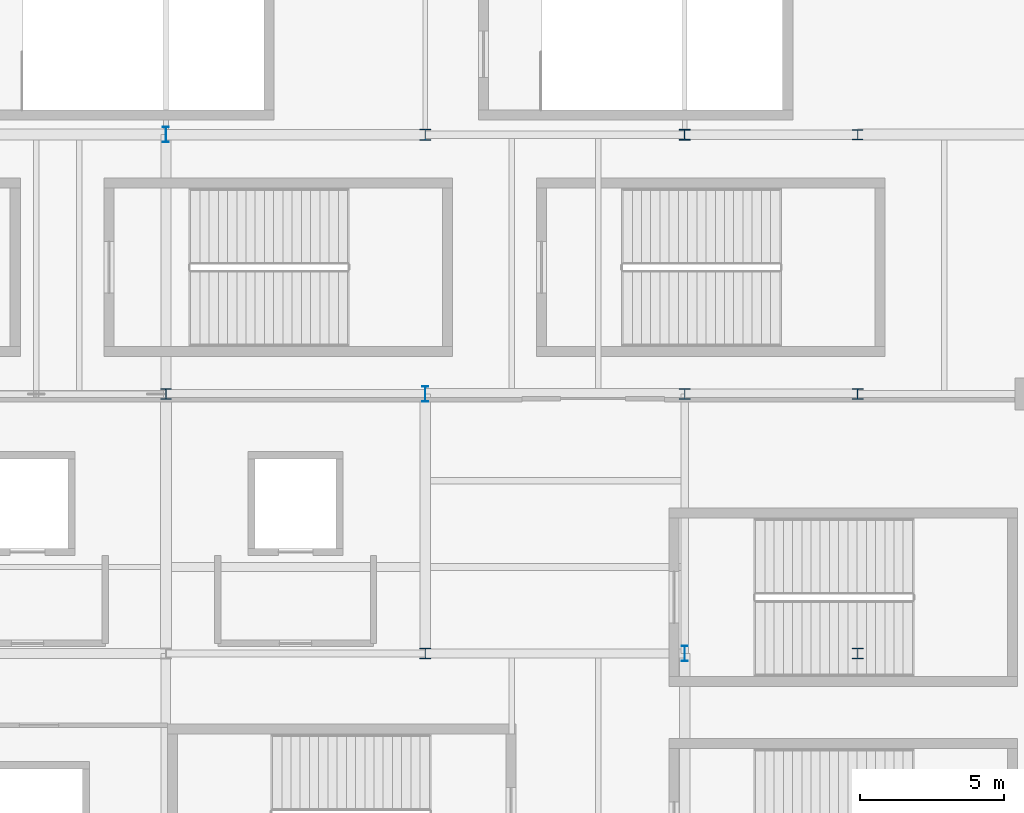
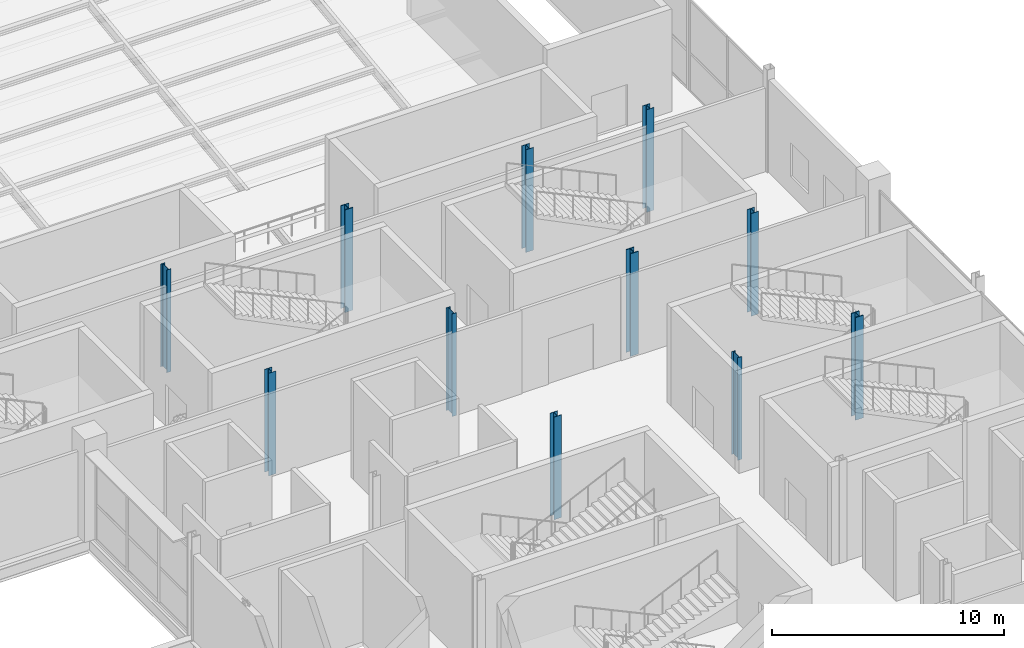
# One storey, part 18 of 119: 11 columns.
"""IFC4 building model written with IfcOpenShell, lengths in metres."""

from ifc_helpers import new_model, si_unit, direction, frame, origin, origin_2d, place, context, subcontext, project, spatial, i_section, extrude, material, material_profile, profile_set, type_object, element, save


model = new_model("IFC4")

# Units and contexts
model_context = context("Model", 3, precision=1e-05, world=origin(), true_north=direction((0.0, 1.0)))
body_context = subcontext(model_context, "Body", "Model", "MODEL_VIEW")
ifc_project = project(units=[si_unit("LENGTHUNIT", "METRE"), si_unit("AREAUNIT", "SQUARE_METRE"), si_unit("VOLUMEUNIT", "CUBIC_METRE"), si_unit("PLANEANGLEUNIT", "RADIAN"), si_unit("MASSUNIT", "GRAM", prefix="KILO")], contexts=[model_context])

# Site, building, storey
site_placement = place(None, origin())
site = spatial("IfcSite", under=ifc_project, at=site_placement, CompositionType="ELEMENT")
building_placement = place(site_placement, origin())
building = spatial("IfcBuilding", under=site, at=building_placement, Name="Qamarlyn Nura Convention Centre", CompositionType="ELEMENT")
storey_placement = place(building_placement, frame((0.0, 0.0, 5.39990234375)))
storey = spatial("IfcBuildingStorey", under=building, at=storey_placement, Name="L01", CompositionType="ELEMENT", Elevation=5.39990234375)

# Columns
ifc_material = material(Name="Steel ASTM A992", Category="steel")
ifc_material_profile_1 = material_profile(ifc_material, i_section(OverallWidth=0.39892578125, OverallDepth=0.39306640625, WebThickness=0.022705078125, FlangeThickness=0.03662109375, FilletRadius=0.01806640625, at=origin_2d()), Name="W360X287")
ifc_profile_set_1 = profile_set([ifc_material_profile_1], Name="Steel ASTM A992")
column_type_1 = type_object("IfcColumnType", Name="COL-WING-1", PredefinedType="COLUMN", material=ifc_profile_set_1)
for number, where, z_axis, x_axis, name in (
    (1, (171.0, 90.0, 0.0), (0.0, 0.0, 1.0), (1.0, 0.0, 0.0), "L01 column 15/L"),
    (2, (180.0, 81.0, 0.0), (0.0, 0.0, 1.0), (1.0, 0.0, 0.0), "L01 column 16/K"),
    (3, (186.0, 72.0, 0.0), (0.0, 0.0, 1.0), (1.0, 0.0, 0.0), "L01 column 17/J"),
):
    element("IfcColumn", number, at=place(storey_placement, frame(where, z_axis=z_axis, x_axis=x_axis)), inside=storey, type_object=column_type_1, Name=name, PredefinedType="COLUMN", context=body_context, shape_type="SweptSolid", body=[
        extrude(i_section(OverallWidth=0.39892578125, OverallDepth=0.39306640625, WebThickness=0.022705078125, FlangeThickness=0.03662109375, FilletRadius=0.01806640625, at=origin_2d()), origin(), (0.0, 0.0, 1.0), 5.400146484375),
    ])
ifc_material_profile_2 = material_profile(ifc_material, i_section(OverallWidth=0.3740234375, OverallDepth=0.3720703125, WebThickness=0.016357421875, FlangeThickness=0.026123046875, FilletRadius=0.01611328125, at=origin_2d()), Name="W360X196")
ifc_profile_set_2 = profile_set([ifc_material_profile_2], Name="Steel ASTM A992")
column_type_2 = type_object("IfcColumnType", Name="COL-WING-2", PredefinedType="COLUMN", material=ifc_profile_set_2)
for number, where, z_axis, x_axis, name in (
    (4, (180.0, 90.0, 0.0), (0.0, 0.0, 1.0), (1.0, 0.0, 0.0), "L01 column 16/L"),
    (5, (186.0, 81.0, 0.0), (0.0, 0.0, 1.0), (1.0, 0.0, 0.0), "L01 column 17/K"),
):
    element("IfcColumn", number, at=place(storey_placement, frame(where, z_axis=z_axis, x_axis=x_axis)), inside=storey, type_object=column_type_2, Name=name, PredefinedType="COLUMN", context=body_context, shape_type="SweptSolid", body=[
        extrude(i_section(OverallWidth=0.3740234375, OverallDepth=0.3720703125, WebThickness=0.016357421875, FlangeThickness=0.026123046875, FilletRadius=0.01611328125, at=origin_2d()), origin(), (0.0, 0.0, 1.0), 5.400146484375),
    ])
ifc_material_profile_3 = material_profile(ifc_material, i_section(OverallWidth=0.368896484375, OverallDepth=0.35595703125, WebThickness=0.01123046875, FlangeThickness=0.01806640625, FilletRadius=0.014892578125, at=origin_2d()), Name="W360X134")
ifc_profile_set_3 = profile_set([ifc_material_profile_3], Name="Steel ASTM A992")
column_type_3 = type_object("IfcColumnType", Name="COL-WING-3", PredefinedType="COLUMN", material=ifc_profile_set_3)
for number, where, z_axis, x_axis, name in (
    (6, (162.0, 81.0, 0.0), (0.0, 0.0, 1.0), (1.0, 0.0, 0.0), "L01 column 14/K"),
    (7, (171.0, 72.0, 0.0), (0.0, 0.0, 1.0), (1.0, 0.0, 0.0), "L01 column 15/J"),
    (8, (186.0, 90.0, 0.0), (0.0, 0.0, 1.0), (1.0, 0.0, 0.0), "L01 column 17/L"),
):
    element("IfcColumn", number, at=place(storey_placement, frame(where, z_axis=z_axis, x_axis=x_axis)), inside=storey, type_object=column_type_3, Name=name, PredefinedType="COLUMN", context=body_context, shape_type="SweptSolid", body=[
        extrude(i_section(OverallWidth=0.368896484375, OverallDepth=0.35595703125, WebThickness=0.01123046875, FlangeThickness=0.01806640625, FilletRadius=0.014892578125, at=origin_2d()), origin(), (0.0, 0.0, 1.0), 5.400146484375),
    ])
ifc_material_profile_4 = material_profile(ifc_material, i_section(OverallWidth=0.2109375, OverallDepth=0.5390625, WebThickness=0.01171875, FlangeThickness=0.018798828125, FilletRadius=0.013916015625, at=origin_2d()), Name="W530X109")
ifc_profile_set_4 = profile_set([ifc_material_profile_4], Name="Steel ASTM A992")
column_type_4 = type_object("IfcColumnType", Name="COL-WING-7", PredefinedType="COLUMN", material=ifc_profile_set_4)
for number, where, z_axis, x_axis, name in (
    (9, (162.0, 90.0, 0.0), (0.0, 0.0, 1.0), (1.0, 0.0, 0.0), "L01 column 14/L"),
    (10, (171.0, 81.0, 0.0), (0.0, 0.0, 1.0), (1.0, 0.0, 0.0), "L01 column 15/K"),
    (11, (180.0, 72.0, 0.0), (0.0, 0.0, 1.0), (1.0, 0.0, 0.0), "L01 column 16/J"),
):
    element("IfcColumn", number, at=place(storey_placement, frame(where, z_axis=z_axis, x_axis=x_axis)), inside=storey, type_object=column_type_4, Name=name, PredefinedType="COLUMN", context=body_context, shape_type="SweptSolid", body=[
        extrude(i_section(OverallWidth=0.2109375, OverallDepth=0.5390625, WebThickness=0.01171875, FlangeThickness=0.018798828125, FilletRadius=0.013916015625, at=origin_2d()), origin(), (0.0, 0.0, 1.0), 5.400146484375),
    ])

save(model, "model.ifc")
